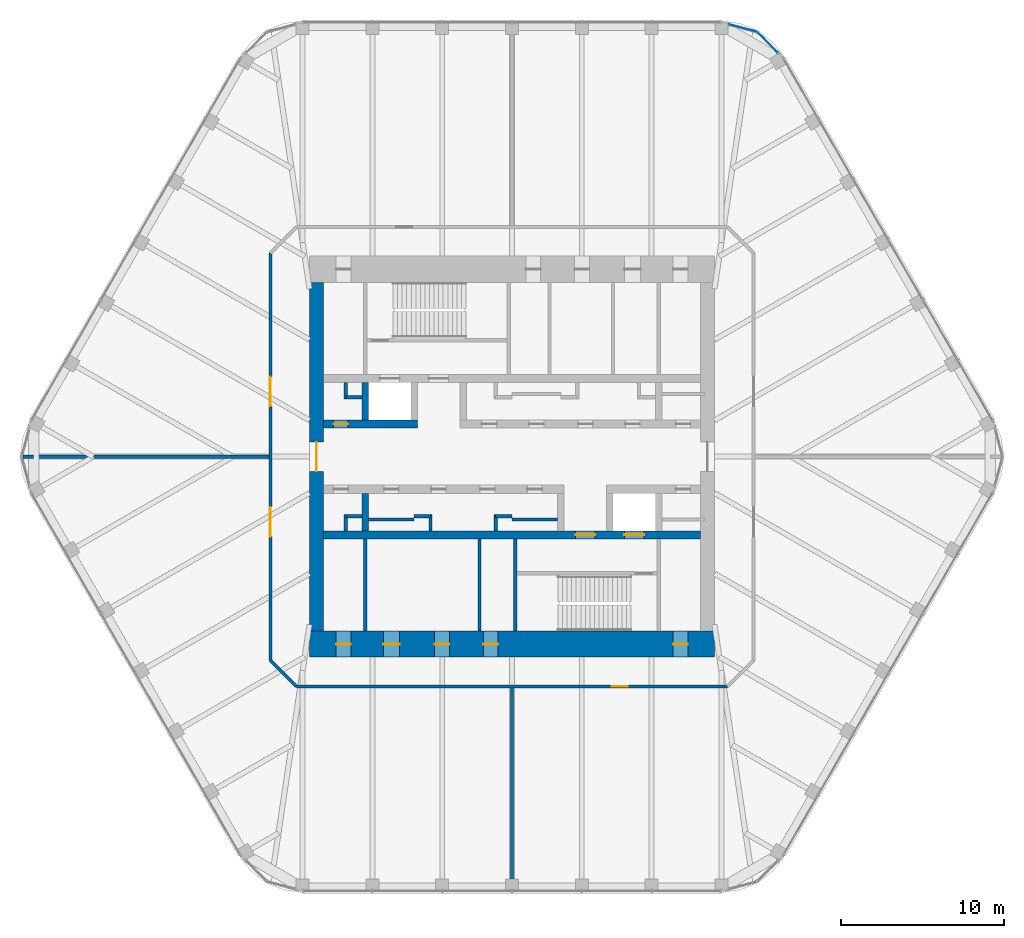
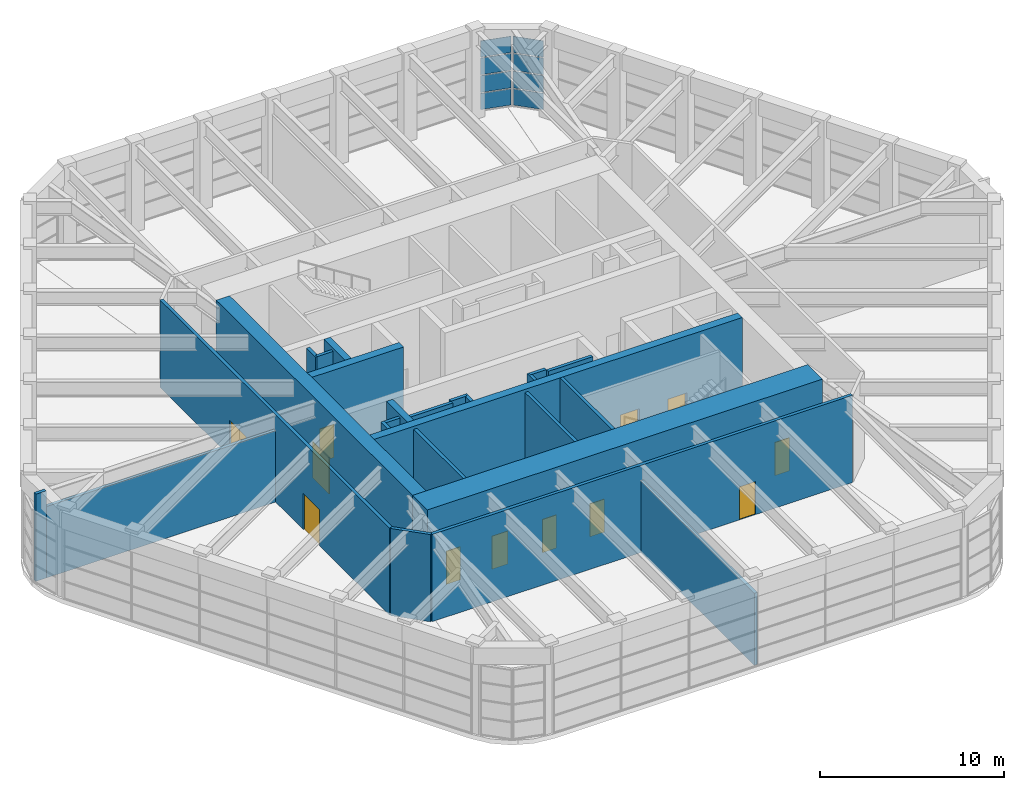
# One storey, part 13 of 16: 25 walls, 12 doors, 8 plates, 12 openings, 2 elements without a shape of their own.
"""IFC4 building model written with IfcOpenShell, lengths in metres."""

import ifcopenshell
import ifcopenshell.guid

model = None  # the IFC model being written
_history = None  # IfcOwnerHistory: only IFC2X3 demands one
_inside = {}  # id of a spatial element -> (the spatial element, [elements in it])
_under = {}  # id of a project, library or spatial element -> (it, [spatial elements below it])
_declared = {}  # id of a project -> (the project, [libraries it declares])
_typed = {}  # id of a type object -> (the type object, [elements of that type])
_made_of = {}  # id of a material, layer set ... -> (it, [elements and type objects made of it])


def new_model(schema):
    """Start an empty IFC model of exactly this schema.

    Asked for "IFC4X3", IfcOpenShell would pick the latest addendum, in which some entities
    have other attributes; the version numbers below select the first issue.
    IFC2X3 requires an IfcOwnerHistory on every rooted entity: one is made here for all.
    """
    global model, _history
    if schema == "IFC4X3":
        model = ifcopenshell.file(schema_version=(4, 3, 0, 0))
    else:
        model = ifcopenshell.file(schema=schema)
    _inside.clear()
    _under.clear()
    _declared.clear()
    _typed.clear()
    _made_of.clear()
    _history = None
    if model.schema == "IFC2X3":
        org = make("IfcOrganization", Name="unknown")
        user = make(
            "IfcPersonAndOrganization",
            ThePerson=make("IfcPerson", FamilyName="unknown"),
            TheOrganization=org,
        )
        app = make(
            "IfcApplication",
            ApplicationDeveloper=org,
            Version="unknown",
            ApplicationFullName="unknown",
            ApplicationIdentifier="unknown",
        )
        _history = make(
            "IfcOwnerHistory",
            OwningUser=user,
            OwningApplication=app,
            ChangeAction="ADDED",
            CreationDate=0,
        )
    return model


def make(cls, **values):
    """One entity of the class cls with the attributes given. An attribute that is None is left unset."""
    return model.create_entity(
        cls, **{name: value for name, value in values.items() if value is not None}
    )


def rooted(cls, **values):
    """An entity with a GlobalId (a new one), such as an element, a storey or a relation."""
    return make(cls, GlobalId=ifcopenshell.guid.new(), OwnerHistory=_history, **values)


def si_unit(unit_type, name, prefix=None):
    """IfcSIUnit, for example si_unit("LENGTHUNIT", "METRE", prefix="MILLI")."""
    return make("IfcSIUnit", UnitType=unit_type, Prefix=prefix, Name=name)


def assignment(units):
    """IfcUnitAssignment: the units of a project."""
    return None if units is None else make("IfcUnitAssignment", Units=units)


def point(xyz):
    """IfcCartesianPoint."""
    return None if xyz is None else make("IfcCartesianPoint", Coordinates=xyz)


def direction(xyz):
    """IfcDirection."""
    return None if xyz is None else make("IfcDirection", DirectionRatios=xyz)


def frame(location, z_axis=None, x_axis=None):
    """IfcAxis2Placement3D, a coordinate frame: its origin and axes. An axis left out is left unset."""
    return make(
        "IfcAxis2Placement3D",
        Location=point(location),
        Axis=direction(z_axis),
        RefDirection=direction(x_axis),
    )


def frame_2d(location, x_axis=None):
    """IfcAxis2Placement2D, a coordinate frame in the plane: its origin and x axis."""
    return make(
        "IfcAxis2Placement2D", Location=point(location), RefDirection=direction(x_axis)
    )


def origin():
    """The frame at (0, 0, 0) with its axes left unset."""
    return frame((0.0, 0.0, 0.0))


def origin_2d():
    """The frame at (0, 0) in the plane with its x axis left unset."""
    return frame_2d((0.0, 0.0))


def place(relative_to, where):
    """IfcLocalPlacement: puts the frame where relative to a parent placement (None: the world)."""
    return make(
        "IfcLocalPlacement", PlacementRelTo=relative_to, RelativePlacement=where
    )


def context(
    kind, dimensions, precision=None, world=None, true_north=None, identifier=None
):
    """IfcGeometricRepresentationContext, for example the 3D "Model" context."""
    return make(
        "IfcGeometricRepresentationContext",
        ContextIdentifier=identifier,
        ContextType=kind,
        CoordinateSpaceDimension=dimensions,
        Precision=precision,
        WorldCoordinateSystem=world,
        TrueNorth=true_north,
    )


def subcontext(parent, identifier, kind, view, scale=None):
    """IfcGeometricRepresentationSubContext, for example "Body" below "Model"."""
    return make(
        "IfcGeometricRepresentationSubContext",
        ContextIdentifier=identifier,
        ContextType=kind,
        ParentContext=parent,
        TargetScale=scale,
        TargetView=view,
    )


def project(units=None, contexts=None):
    """IfcProject with its units and contexts."""
    return rooted(
        "IfcProject",
        Name="project",
        RepresentationContexts=contexts,
        UnitsInContext=assignment(units),
    )


def spatial(cls, under=None, at=None, **own):
    """A site, building, storey or space (cls), placed at a placement, below another one or the project."""
    s = rooted(cls, ObjectPlacement=at, **own)
    if under is not None:
        _under.setdefault(under.id(), (under, []))[1].append(s)
    return s


def profile(cls, at=None, kind="AREA", **sizes):
    """A parametric profile (cls). Its sizes go by their IFC names, for example OverallWidth=200.0."""
    return make(cls, ProfileType=kind, Position=at, **sizes)


def rectangle(**sizes):
    """IfcRectangleProfileDef."""
    return profile("IfcRectangleProfileDef", **sizes)


def extrude(swept, where, along, depth):
    """IfcExtrudedAreaSolid: the profile swept, set in the frame where, extruded along a direction by depth."""
    return make(
        "IfcExtrudedAreaSolid",
        SweptArea=swept,
        Position=where,
        ExtrudedDirection=direction(along),
        Depth=depth,
    )


def shape(context_of_items, identifier, shape_type, items):
    """IfcShapeRepresentation: the items that make up one representation, for example the "Body"."""
    return make(
        "IfcShapeRepresentation",
        ContextOfItems=context_of_items,
        RepresentationIdentifier=identifier,
        RepresentationType=shape_type,
        Items=items,
    )


def material(Name=None, Category=None):
    """IfcMaterial."""
    return make("IfcMaterial", Name=Name, Category=Category)


def layer(
    of_material, thickness, ventilated=None, Name=None, Category=None, Priority=None
):
    """IfcMaterialLayer: one layer of a wall or slab, of a material (None: an air gap)."""
    return make(
        "IfcMaterialLayer",
        Material=of_material,
        LayerThickness=thickness,
        IsVentilated=ventilated,
        Name=Name,
        Category=Category,
        Priority=Priority,
    )


def layer_set(layers, Name=None):
    """IfcMaterialLayerSet."""
    return make("IfcMaterialLayerSet", MaterialLayers=layers, LayerSetName=Name)


def made_of(thing, what):
    """Note that an element or type object is made of a material, layer set ...; save() writes the relation."""
    if what is not None:
        _made_of.setdefault(what.id(), (what, []))[1].append(thing)
    return thing


def type_object(cls, material=None, **own):
    """A type object (cls), such as IfcWallType, which elements share."""
    return made_of(rooted(cls, **own), material)


def element(
    cls,
    number,
    at=None,
    inside=None,
    cuts=None,
    type_object=None,
    material=None,
    context=None,
    identifier="Body",
    shape_type=None,
    held_by="IfcProductDefinitionShape",
    body=None,
    shapes=None,
    **own,
):
    """One element of the class cls, such as IfcWall. Its Tag is "e" and its number.

    at: its placement. inside: the storey or other place that contains it. cuts: it is an
    opening in that element (IfcRelVoidsElement). A single representation is given by context,
    identifier, shape_type and body (its items); several are given by shapes. held_by: the class
    of the entity that holds the representations. save() writes the other relations.
    """
    e = rooted(cls, Tag="e%d" % number, ObjectPlacement=at, **own)
    if body is not None:
        shapes = [shape(context, identifier, shape_type, body)]
    if shapes is not None:
        e.Representation = make(held_by, Representations=shapes)
    if inside is not None:
        _inside.setdefault(inside.id(), (inside, []))[1].append(e)
    if cuts is not None:
        rooted(
            "IfcRelVoidsElement", RelatingBuildingElement=cuts, RelatedOpeningElement=e
        )
    if type_object is not None:
        _typed.setdefault(type_object.id(), (type_object, []))[1].append(e)
    return made_of(e, material)


def fill(opening, filler):
    """IfcRelFillsElement: the door or window that sits in an opening."""
    return rooted(
        "IfcRelFillsElement",
        RelatingOpeningElement=opening,
        RelatedBuildingElement=filler,
    )


def aggregate(whole, parts):
    """IfcRelAggregates: a whole, such as a stair, and the parts it consists of."""
    return rooted("IfcRelAggregates", RelatingObject=whole, RelatedObjects=parts)


def save(model, path):
    """Write the relations noted so far, then the file.

    IfcRelAggregates (storeys below a building ...), IfcRelContainedInSpatialStructure (elements
    in a storey), IfcRelDefinesByType, IfcRelAssociatesMaterial and IfcRelDeclares: one each for
    every whole, place, type object, material and project.
    """
    for whole, parts in _under.values():
        aggregate(whole, parts)
    for where, things in _inside.values():
        rooted(
            "IfcRelContainedInSpatialStructure",
            RelatedElements=things,
            RelatingStructure=where,
        )
    for kind, things in _typed.values():
        rooted("IfcRelDefinesByType", RelatedObjects=things, RelatingType=kind)
    for what, things in _made_of.values():
        rooted("IfcRelAssociatesMaterial", RelatedObjects=things, RelatingMaterial=what)
    for by, libraries in _declared.values():
        rooted("IfcRelDeclares", RelatingContext=by, RelatedDefinitions=libraries)
    model.write(path)


model = new_model("IFC4")

# Units and contexts
model_context = context("Model", 3, precision=1e-05, world=origin(), true_north=direction((0.0, 1.0)))
body_context = subcontext(model_context, "Body", "Model", "MODEL_VIEW")
ifc_project = project(units=[si_unit("LENGTHUNIT", "METRE"), si_unit("AREAUNIT", "SQUARE_METRE"), si_unit("VOLUMEUNIT", "CUBIC_METRE"), si_unit("PLANEANGLEUNIT", "RADIAN"), si_unit("MASSUNIT", "GRAM", prefix="KILO")], contexts=[model_context])

# Site, building, storey
site_placement = place(None, origin())
site = spatial("IfcSite", under=ifc_project, at=site_placement, CompositionType="ELEMENT")
building_placement = place(site_placement, origin())
building = spatial("IfcBuilding", under=site, at=building_placement, Name="Tarfa Lantern Tower", CompositionType="ELEMENT")
storey_placement = place(building_placement, frame((0.0, 0.0, 396.300048828125)))
storey = spatial("IfcBuildingStorey", under=building, at=storey_placement, Name="L90", CompositionType="ELEMENT", Elevation=396.300048828125)

# Curtain wall, plates
ifc_material_1 = material(Name="Aluminium framed curtain wall", Category="aluminium")
curtain_wall_type = type_object("IfcCurtainWallType", Name="CW8 LANTERN GLAZING 4700", PredefinedType="USERDEFINED", material=ifc_material_1)
curtain_wall_1_placement = place(storey_placement, origin())
curtain_wall_1 = element("IfcCurtainWall", 1, at=curtain_wall_1_placement, inside=storey, type_object=curtain_wall_type, Name="CW8 NEN1 L90", ObjectType="CURTAIN WALL", PredefinedType="USERDEFINED")
ifc_material_2 = material(Name="Laminated double glazing", Category="glass")
ifc_layer_1 = layer(ifc_material_2, 0.028076171875)
ifc_layer_set_1 = layer_set([ifc_layer_1], Name="CWP1 DOUBLE GLAZED PANEL")
plate_type = type_object("IfcPlateType", Name="CWP1 DOUBLE GLAZED PANEL", PredefinedType="CURTAIN_PANEL", material=ifc_layer_set_1)
plate_1_placement = place(storey_placement, frame((15.6953125, 25.4111328125, 0.06494140625), z_axis=(0.0, 0.0, 1.0), x_axis=(-0.707106781187, 0.707106781187, 0.0)))
plate_1 = element("IfcPlate", 2, at=plate_1_placement, type_object=plate_type, Name="CW8 panel 1.1", PredefinedType="CURTAIN_PANEL", context=body_context, shape_type="SweptSolid", body=[
    extrude(rectangle(XDim=1.706787109375, YDim=0.028076171875, at=origin_2d()), origin(), (0.0, 0.0, 1.0), 1.077392578125),
])
plate_2_placement = place(storey_placement, frame((15.6953125, 25.4111328125, 1.20751953125), z_axis=(0.0, 0.0, 1.0), x_axis=(-0.707106781187, 0.707106781187, 0.0)))
plate_2 = element("IfcPlate", 3, at=plate_2_placement, type_object=plate_type, Name="CW8 panel 1.2", PredefinedType="CURTAIN_PANEL", context=body_context, shape_type="SweptSolid", body=[
    extrude(rectangle(XDim=1.706787109375, YDim=0.028076171875, at=origin_2d()), origin(), (0.0, 0.0, 1.0), 1.110107421875),
])
plate_3_placement = place(storey_placement, frame((15.6953125, 25.4111328125, 2.38232421875), z_axis=(0.0, 0.0, 1.0), x_axis=(-0.707106781187, 0.707106781187, 0.0)))
plate_3 = element("IfcPlate", 4, at=plate_3_placement, type_object=plate_type, Name="CW8 panel 1.3", PredefinedType="CURTAIN_PANEL", context=body_context, shape_type="SweptSolid", body=[
    extrude(rectangle(XDim=1.706787109375, YDim=0.028076171875, at=origin_2d()), origin(), (0.0, 0.0, 1.0), 1.110107421875),
])
plate_4_placement = place(storey_placement, frame((15.6953125, 25.4111328125, 3.5576171875), z_axis=(0.0, 0.0, 1.0), x_axis=(-0.707106781187, 0.707106781187, 0.0)))
plate_4 = element("IfcPlate", 5, at=plate_4_placement, type_object=plate_type, Name="CW8 panel 1.4", PredefinedType="CURTAIN_PANEL", context=body_context, shape_type="SweptSolid", body=[
    extrude(rectangle(XDim=1.706787109375, YDim=0.028076171875, at=origin_2d()), origin(), (0.0, 0.0, 1.0), 1.077392578125),
])
aggregate(curtain_wall_1, [plate_1, plate_2, plate_3, plate_4])

curtain_wall_2_placement = place(storey_placement, origin())
curtain_wall_2 = element("IfcCurtainWall", 6, at=curtain_wall_2_placement, inside=storey, type_object=curtain_wall_type, Name="CW8 NEN2 L90", ObjectType="CURTAIN WALL", PredefinedType="USERDEFINED")
plate_5_placement = place(storey_placement, frame((14.158935546875, 26.298095703125, 0.06494140625), z_axis=(0.0, 0.0, 1.0), x_axis=(-0.965925850804, 0.258818953611, 0.0)))
plate_5 = element("IfcPlate", 7, at=plate_5_placement, type_object=plate_type, Name="CW8 panel 1.1", PredefinedType="CURTAIN_PANEL", context=body_context, shape_type="SweptSolid", body=[
    extrude(rectangle(XDim=1.706787109375, YDim=0.028076171875, at=origin_2d()), origin(), (0.0, 0.0, 1.0), 1.077392578125),
])
plate_6_placement = place(storey_placement, frame((14.158935546875, 26.298095703125, 1.20751953125), z_axis=(0.0, 0.0, 1.0), x_axis=(-0.965925850804, 0.258818953611, 0.0)))
plate_6 = element("IfcPlate", 8, at=plate_6_placement, type_object=plate_type, Name="CW8 panel 1.2", PredefinedType="CURTAIN_PANEL", context=body_context, shape_type="SweptSolid", body=[
    extrude(rectangle(XDim=1.706787109375, YDim=0.028076171875, at=origin_2d()), origin(), (0.0, 0.0, 1.0), 1.110107421875),
])
plate_7_placement = place(storey_placement, frame((14.158935546875, 26.298095703125, 2.38232421875), z_axis=(0.0, 0.0, 1.0), x_axis=(-0.965925850804, 0.258818953611, 0.0)))
plate_7 = element("IfcPlate", 9, at=plate_7_placement, type_object=plate_type, Name="CW8 panel 1.3", PredefinedType="CURTAIN_PANEL", context=body_context, shape_type="SweptSolid", body=[
    extrude(rectangle(XDim=1.706787109375, YDim=0.028076171875, at=origin_2d()), origin(), (0.0, 0.0, 1.0), 1.110107421875),
])
plate_8_placement = place(storey_placement, frame((14.158935546875, 26.298095703125, 3.5576171875), z_axis=(0.0, 0.0, 1.0), x_axis=(-0.965925850804, 0.258818953611, 0.0)))
plate_8 = element("IfcPlate", 10, at=plate_8_placement, type_object=plate_type, Name="CW8 panel 1.4", PredefinedType="CURTAIN_PANEL", context=body_context, shape_type="SweptSolid", body=[
    extrude(rectangle(XDim=1.706787109375, YDim=0.028076171875, at=origin_2d()), origin(), (0.0, 0.0, 1.0), 1.077392578125),
])
aggregate(curtain_wall_2, [plate_5, plate_6, plate_7, plate_8])

# Walls
ifc_material_3 = material(Name="Concrete blockwork", Category="masonry")
ifc_layer_2 = layer(ifc_material_3, 0.199951171875)
ifc_layer_set_2 = layer_set([ifc_layer_2], Name="IW1 BLOCKWORK PARTITION 200 EI 120")
wall_type_1 = type_object("IfcWallType", Name="IW1 BLOCKWORK PARTITION 200 EI 120", PredefinedType="PARTITIONING", material=ifc_layer_set_2)
for number, where, z_axis, x_axis, name in (
    (11, (-9.0, -5.050048828125, 0.0), (0.0, 0.0, 1.0), (0.0, -1.0, 0.0), "Core partition"),
    (12, (-2.0, -5.050048828125, 0.0), (0.0, 0.0, 1.0), (0.0, -1.0, 0.0), "Core partition"),
):
    element("IfcWall", number, at=place(storey_placement, frame(where, z_axis=z_axis, x_axis=x_axis)), inside=storey, type_object=wall_type_1, Name=name, PredefinedType="PARTITIONING", context=body_context, shape_type="SweptSolid", body=[
        extrude(rectangle(XDim=5.64990234375, YDim=0.199951171875, at=frame_2d((2.824951171875, 0.0))), origin(), (0.0, 0.0, 1.0), 5.800048828125),
    ])
for number, where, z_axis, x_axis, name in (
    (13, (-10.199951171875, 3.64990234375, 0.0), (0.0, 0.0, 1.0), (1.0, 0.0, 0.0), "Core partition"),
    (14, (-10.199951171875, 3.550048828125, 0.0), (0.0, 0.0, 1.0), (0.0, 1.0, 0.0), "Core partition"),
):
    element("IfcWall", number, at=place(storey_placement, frame(where, z_axis=z_axis, x_axis=x_axis)), inside=storey, type_object=wall_type_1, Name=name, PredefinedType="PARTITIONING", context=body_context, shape_type="SweptSolid", body=[
        extrude(rectangle(XDim=1.0, YDim=0.199951171875, at=frame_2d((0.5, 0.0))), origin(), (0.0, 0.0, 1.0), 5.800048828125),
    ])
wall_1_placement = place(storey_placement, frame((2.800048828125, -3.85009765625, 0.0), z_axis=(0.0, 0.0, 1.0), x_axis=(-1.0, 0.0, 0.0)))
element("IfcWall", 15, at=wall_1_placement, inside=storey, type_object=wall_type_1, Name="Core partition", PredefinedType="PARTITIONING", context=body_context, shape_type="SweptSolid", body=[
    extrude(rectangle(XDim=2.800048828125, YDim=0.199951171875, at=frame_2d((1.39990234375, 0.0))), origin(), (0.0, 0.0, 1.0), 5.800048828125),
])
for number, where, z_axis, x_axis, name in (
    (16, (0.0, -3.64990234375, 0.0), (0.0, 0.0, 1.0), (-1.0, 0.0, 0.0), "Core partition"),
    (17, (-1.0, -3.550048828125, 0.0), (0.0, 0.0, 1.0), (0.0, -1.0, 0.0), "Core partition"),
    (18, (-5.0, -3.64990234375, 0.0), (0.0, 0.0, 1.0), (-1.0, 0.0, 0.0), "Core partition"),
    (19, (-5.0, -3.550048828125, 0.0), (0.0, 0.0, 1.0), (0.0, -1.0, 0.0), "Core partition"),
):
    element("IfcWall", number, at=place(storey_placement, frame(where, z_axis=z_axis, x_axis=x_axis)), inside=storey, type_object=wall_type_1, Name=name, PredefinedType="PARTITIONING", context=body_context, shape_type="SweptSolid", body=[
        extrude(rectangle(XDim=1.0, YDim=0.199951171875, at=frame_2d((0.5, 0.0))), origin(), (0.0, 0.0, 1.0), 5.800048828125),
    ])
wall_2_placement = place(storey_placement, frame((-6.0, -3.85009765625, 0.0), z_axis=(0.0, 0.0, 1.0), x_axis=(-1.0, 0.0, 0.0)))
element("IfcWall", 20, at=wall_2_placement, inside=storey, type_object=wall_type_1, Name="Core partition", PredefinedType="PARTITIONING", context=body_context, shape_type="SweptSolid", body=[
    extrude(rectangle(XDim=2.800048828125, YDim=0.199951171875, at=frame_2d((1.39990234375, 0.0))), origin(), (0.0, 0.0, 1.0), 5.800048828125),
])
for number, where, z_axis, x_axis, name in (
    (21, (-9.199951171875, -3.64990234375, 0.0), (0.0, 0.0, 1.0), (-1.0, 0.0, 0.0), "Core partition"),
    (22, (-10.199951171875, -3.550048828125, 0.0), (0.0, 0.0, 1.0), (0.0, -1.0, 0.0), "Core partition"),
):
    element("IfcWall", number, at=place(storey_placement, frame(where, z_axis=z_axis, x_axis=x_axis)), inside=storey, type_object=wall_type_1, Name=name, PredefinedType="PARTITIONING", context=body_context, shape_type="SweptSolid", body=[
        extrude(rectangle(XDim=1.0, YDim=0.199951171875, at=frame_2d((0.5, 0.0))), origin(), (0.0, 0.0, 1.0), 5.800048828125),
    ])

# Wall, opening, door
wall_3_placement = place(storey_placement, frame((13.22509765625, -14.10009765625, 0.0), z_axis=(0.0, 0.0, 1.0), x_axis=(-1.0, 0.0, 0.0)))
wall_3 = element("IfcWall", 23, at=wall_3_placement, inside=storey, type_object=wall_type_1, Name="Fire-rated partition", PredefinedType="PARTITIONING", context=body_context, shape_type="SweptSolid", body=[
    extrude(rectangle(XDim=26.4501953125, YDim=0.199951171875, at=frame_2d((13.22509765625, 0.0))), origin(), (0.0, 0.0, 1.0), 5.800048828125),
])
opening_1_placement = place(wall_3_placement, frame((6.112548828125, 0.0, 0.0)))
opening_1 = element("IfcOpeningElement", 24, at=opening_1_placement, cuts=wall_3, Name="Opening D34", PredefinedType="OPENING", context=body_context, shape_type="SweptSolid", body=[
    extrude(rectangle(XDim=1.0, YDim=2.199951171875, at=frame_2d((0.5, 1.10009765625))), frame((0.0, 0.10986328125, 0.0), z_axis=(0.0, -1.0, 0.0), x_axis=(1.0, 0.0, 0.0)), (0.0, 0.0, 1.0), 0.219970703125),
])
ifc_material_4 = material(Name="Timber door", Category="wood")
door_type_1 = type_object("IfcDoorType", Name="DR1 ROOM DOOR 1000x2200", OperationType="SINGLE_SWING_LEFT", PredefinedType="DOOR", material=ifc_material_4)
door_1_placement = place(opening_1_placement, origin())
door_1 = element("IfcDoor", 25, at=door_1_placement, inside=storey, type_object=door_type_1, Name="Corridor door", OperationType="SINGLE_SWING_RIGHT", OverallHeight=2.199951171875, OverallWidth=1.0, PredefinedType="DOOR", context=body_context, shape_type="SweptSolid", body=[
    extrude(rectangle(XDim=1.0, YDim=2.199951171875, at=frame_2d((0.5, 1.10009765625))), frame((0.0, 0.02490234375, 0.0), z_axis=(0.0, -1.0, 0.0), x_axis=(1.0, 0.0, 0.0)), (0.0, 0.0, 1.0), 0.050048828125),
])
fill(opening_1, door_1)

# Wall
wall_4_placement = place(storey_placement, frame((-13.22509765625, -14.10009765625, 0.0), z_axis=(0.0, 0.0, 1.0), x_axis=(-0.707052830339, 0.707160727918, 0.0)))
element("IfcWall", 26, at=wall_4_placement, inside=storey, type_object=wall_type_1, Name="Fire-rated partition", PredefinedType="PARTITIONING", context=body_context, shape_type="SweptSolid", body=[
    extrude(rectangle(XDim=2.2626953125, YDim=0.199951171875, at=frame_2d((1.13134765625, 0.0))), origin(), (0.0, 0.0, 1.0), 5.800048828125),
])

# Wall, openings, doors
wall_5_placement = place(storey_placement, frame((-14.824951171875, -12.5, 0.0), z_axis=(0.0, 0.0, 1.0), x_axis=(0.0, 1.0, 0.0)))
wall_5 = element("IfcWall", 27, at=wall_5_placement, inside=storey, type_object=wall_type_1, Name="Fire-rated partition", PredefinedType="PARTITIONING", context=body_context, shape_type="SweptSolid", body=[
    extrude(rectangle(XDim=25.0, YDim=0.199951171875, at=frame_2d((12.5, 0.0))), origin(), (0.0, 0.0, 1.0), 5.800048828125),
])
opening_2_placement = place(wall_5_placement, frame((15.60009765625, 0.0, 0.0)))
opening_2 = element("IfcOpeningElement", 28, at=opening_2_placement, cuts=wall_5, Name="Opening D30", PredefinedType="OPENING", context=body_context, shape_type="SweptSolid", body=[
    extrude(rectangle(XDim=1.800048828125, YDim=2.39990234375, at=frame_2d((0.89990234375, 1.199951171875))), frame((0.0, 0.10986328125, 0.0), z_axis=(0.0, -1.0, 0.0), x_axis=(1.0, 0.0, 0.0)), (0.0, 0.0, 1.0), 0.219970703125),
])
opening_3_placement = place(wall_5_placement, frame((7.60009765625, 0.0, 0.0)))
opening_3 = element("IfcOpeningElement", 29, at=opening_3_placement, cuts=wall_5, Name="Opening D32", PredefinedType="OPENING", context=body_context, shape_type="SweptSolid", body=[
    extrude(rectangle(XDim=1.800048828125, YDim=2.39990234375, at=frame_2d((0.89990234375, 1.199951171875))), frame((0.0, 0.10986328125, 0.0), z_axis=(0.0, -1.0, 0.0), x_axis=(1.0, 0.0, 0.0)), (0.0, 0.0, 1.0), 0.219970703125),
])
ifc_material_5 = material(Name="Steel fire door", Category="steel")
door_type_2 = type_object("IfcDoorType", Name="DF7 FIRE DOOR 1800x2400", OperationType="DOUBLE_DOOR_SINGLE_SWING", PredefinedType="DOOR", material=ifc_material_5)
door_2_placement = place(opening_2_placement, origin())
door_2 = element("IfcDoor", 30, at=door_2_placement, inside=storey, type_object=door_type_2, Name="Heat rejection plant room door", OperationType="DOUBLE_DOOR_SINGLE_SWING", OverallHeight=2.39990234375, OverallWidth=1.800048828125, PredefinedType="DOOR", context=body_context, shape_type="SweptSolid", body=[
    extrude(rectangle(XDim=1.800048828125, YDim=2.39990234375, at=frame_2d((0.89990234375, 1.199951171875))), frame((0.0, 0.02490234375, 0.0), z_axis=(0.0, -1.0, 0.0), x_axis=(1.0, 0.0, 0.0)), (0.0, 0.0, 1.0), 0.050048828125),
])
fill(opening_2, door_2)
door_3_placement = place(opening_3_placement, origin())
door_3 = element("IfcDoor", 31, at=door_3_placement, inside=storey, type_object=door_type_2, Name="Electrical plant room door", OperationType="DOUBLE_DOOR_SINGLE_SWING", OverallHeight=2.39990234375, OverallWidth=1.800048828125, PredefinedType="DOOR", context=body_context, shape_type="SweptSolid", body=[
    extrude(rectangle(XDim=1.800048828125, YDim=2.39990234375, at=frame_2d((0.89990234375, 1.199951171875))), frame((0.0, 0.02490234375, 0.0), z_axis=(0.0, -1.0, 0.0), x_axis=(1.0, 0.0, 0.0)), (0.0, 0.0, 1.0), 0.050048828125),
])
fill(opening_3, door_3)

# Walls
wall_6_placement = place(storey_placement, frame((0.0, -14.199951171875, 0.0), z_axis=(0.0, 0.0, 1.0), x_axis=(0.0, -1.0, 0.0)))
element("IfcWall", 32, at=wall_6_placement, inside=storey, type_object=wall_type_1, Name="Fire-rated partition", PredefinedType="PARTITIONING", context=body_context, shape_type="SweptSolid", body=[
    extrude(rectangle(XDim=12.360107421875, YDim=0.199951171875, at=frame_2d((6.18017578125, 0.0))), origin(), (0.0, 0.0, 1.0), 4.791748046875),
])
wall_7_placement = place(storey_placement, frame((-14.925048828125, 0.0, 0.0), z_axis=(0.0, 0.0, 1.0), x_axis=(-1.0, 0.0, 0.0)))
element("IfcWall", 33, at=wall_7_placement, inside=storey, type_object=wall_type_1, Name="Fire-rated partition", PredefinedType="PARTITIONING", context=body_context, shape_type="SweptSolid", body=[
    extrude(rectangle(XDim=14.421630859375, YDim=0.199951171875, at=frame_2d((7.2109375, 0.0))), origin(), (0.0, 0.0, 1.0), 4.743896484375),
])
wall_8_placement = place(storey_placement, frame((-29.3466796875, 0.0, 0.0), z_axis=(0.0, 0.0, 1.0), x_axis=(-1.0, 0.0, 0.0)))
element("IfcWall", 34, at=wall_8_placement, inside=storey, type_object=wall_type_1, Name="Fire-rated partition", PredefinedType="PARTITIONING", context=body_context, shape_type="SweptSolid", body=[
    extrude(rectangle(XDim=0.65673828125, YDim=0.199951171875, at=frame_2d((0.328369140625, 0.0))), origin(), (0.0, 0.0, 1.0), 5.800048828125),
])
ifc_material_6 = material(Name="Concrete C80/95", Category="concrete")
ifc_layer_3 = layer(ifc_material_6, 0.199951171875)
ifc_layer_set_3 = layer_set([ifc_layer_3], Name="SW12 CORE WALL 200")
wall_type_2 = type_object("IfcWallType", Name="SW12 CORE WALL 200", PredefinedType="SHEAR", material=ifc_layer_set_3)
wall_9_placement = place(storey_placement, frame((0.199951171875, -5.050048828125, 0.0), z_axis=(0.0, 0.0, 1.0), x_axis=(0.0, -1.0, 0.0)))
element("IfcWall", 35, at=wall_9_placement, inside=storey, type_object=wall_type_2, Name="Core wall stair shaft S", PredefinedType="SHEAR", context=body_context, shape_type="SweptSolid", body=[
    extrude(rectangle(XDim=5.64990234375, YDim=0.199951171875, at=frame_2d((2.824951171875, 0.0))), origin(), (0.0, 0.0, 1.0), 6.0),
])

# Wall, opening, door
ifc_layer_4 = layer(ifc_material_6, 0.85009765625)
ifc_layer_set_4 = layer_set([ifc_layer_4], Name="SW3 CORE WALL 850")
wall_type_3 = type_object("IfcWallType", Name="SW3 CORE WALL 850", PredefinedType="SHEAR", material=ifc_layer_set_4)
wall_10_placement = place(storey_placement, frame((-12.0, 10.699951171875, 0.0), z_axis=(0.0, 0.0, 1.0), x_axis=(0.0, -1.0, 0.0)))
wall_10 = element("IfcWall", 36, at=wall_10_placement, inside=storey, type_object=wall_type_3, Name="Core wall W", PredefinedType="SHEAR", context=body_context, shape_type="SweptSolid", body=[
    extrude(rectangle(XDim=21.39990234375, YDim=0.85009765625, at=frame_2d((10.699951171875, 0.0))), origin(), (0.0, 0.0, 1.0), 6.0),
])
opening_4_placement = place(wall_10_placement, frame((9.800048828125, 0.0, 0.0)))
opening_4 = element("IfcOpeningElement", 37, at=opening_4_placement, cuts=wall_10, Name="Opening D08", PredefinedType="OPENING", context=body_context, shape_type="SweptSolid", body=[
    extrude(rectangle(XDim=1.800048828125, YDim=2.39990234375, at=frame_2d((0.89990234375, 1.199951171875))), frame((0.0, 0.43505859375, 0.0), z_axis=(0.0, -1.0, 0.0), x_axis=(1.0, 0.0, 0.0)), (0.0, 0.0, 1.0), 0.8701171875),
])
door_type_3 = type_object("IfcDoorType", Name="DL1 LOBBY DOOR 1800x2400", OperationType="DOUBLE_DOOR_SINGLE_SWING", PredefinedType="DOOR", material=ifc_material_5)
door_4_placement = place(opening_4_placement, frame((1.800048828125, 0.0, 0.0), z_axis=(0.0, 0.0, 1.0), x_axis=(-1.0, 0.0, 0.0)))
door_4 = element("IfcDoor", 38, at=door_4_placement, inside=storey, type_object=door_type_3, Name="Lift lobby door", OperationType="DOUBLE_DOOR_SINGLE_SWING", OverallHeight=2.39990234375, OverallWidth=1.800048828125, PredefinedType="DOOR", context=body_context, shape_type="SweptSolid", body=[
    extrude(rectangle(XDim=1.800048828125, YDim=2.39990234375, at=frame_2d((0.89990234375, 1.199951171875))), frame((0.0, 0.02490234375, 0.0), z_axis=(0.0, -1.0, 0.0), x_axis=(1.0, 0.0, 0.0)), (0.0, 0.0, 1.0), 0.050048828125),
])
fill(opening_4, door_4)

ifc_layer_5 = layer(ifc_material_6, 0.5)
ifc_layer_set_5 = layer_set([ifc_layer_5], Name="SW5 CORE WALL 500")
wall_type_4 = type_object("IfcWallType", Name="SW5 CORE WALL 500", PredefinedType="SHEAR", material=ifc_layer_set_5)
wall_11_placement = place(storey_placement, frame((-11.574951171875, 2.0, 0.0), z_axis=(0.0, 0.0, 1.0), x_axis=(1.0, 0.0, 0.0)))
wall_11 = element("IfcWall", 39, at=wall_11_placement, inside=storey, type_object=wall_type_4, Name="Core wall lobby west N", PredefinedType="SHEAR", context=body_context, shape_type="SweptSolid", body=[
    extrude(rectangle(XDim=5.77490234375, YDim=0.5, at=frame_2d((2.887451171875, 0.0))), origin(), (0.0, 0.0, 1.0), 6.0),
])
opening_5_placement = place(wall_11_placement, frame((0.625, 0.0, 0.0)))
opening_5 = element("IfcOpeningElement", 40, at=opening_5_placement, cuts=wall_11, Name="Opening D11", PredefinedType="OPENING", context=body_context, shape_type="SweptSolid", body=[
    extrude(rectangle(XDim=0.89990234375, YDim=2.199951171875, at=frame_2d((0.449951171875, 1.10009765625))), frame((0.0, 0.260009765625, 0.0), z_axis=(0.0, -1.0, 0.0), x_axis=(1.0, 0.0, 0.0)), (0.0, 0.0, 1.0), 0.52001953125),
])
door_type_4 = type_object("IfcDoorType", Name="DF6 SERVICE ROOM DOOR 900x2200", OperationType="SINGLE_SWING_LEFT", PredefinedType="DOOR", material=ifc_material_5)
door_5_placement = place(opening_5_placement, origin())
door_5 = element("IfcDoor", 41, at=door_5_placement, inside=storey, type_object=door_type_4, Name="Service room door", OperationType="SINGLE_SWING_RIGHT", OverallHeight=2.199951171875, OverallWidth=0.89990234375, PredefinedType="DOOR", context=body_context, shape_type="SweptSolid", body=[
    extrude(rectangle(XDim=0.89990234375, YDim=2.199951171875, at=frame_2d((0.449951171875, 1.10009765625))), frame((0.0, 0.02490234375, 0.0), z_axis=(0.0, -1.0, 0.0), x_axis=(1.0, 0.0, 0.0)), (0.0, 0.0, 1.0), 0.050048828125),
])
fill(opening_5, door_5)

# Wall, openings, doors
wall_12_placement = place(storey_placement, frame((11.574951171875, -4.800048828125, 0.0), z_axis=(0.0, 0.0, 1.0), x_axis=(-1.0, 0.0, 0.0)))
wall_12 = element("IfcWall", 42, at=wall_12_placement, inside=storey, type_object=wall_type_4, Name="Core wall rear S", PredefinedType="SHEAR", context=body_context, shape_type="SweptSolid", body=[
    extrude(rectangle(XDim=23.14990234375, YDim=0.5, at=frame_2d((11.574951171875, 0.0))), origin(), (0.0, 0.0, 1.0), 6.0),
])
opening_6_placement = place(wall_12_placement, frame((6.47509765625, 0.0, 0.0)))
opening_6 = element("IfcOpeningElement", 43, at=opening_6_placement, cuts=wall_12, Name="Opening D06", PredefinedType="OPENING", context=body_context, shape_type="SweptSolid", body=[
    extrude(rectangle(XDim=1.199951171875, YDim=2.199951171875, at=frame_2d((0.60009765625, 1.10009765625))), frame((0.0, 0.260009765625, 0.0), z_axis=(0.0, -1.0, 0.0), x_axis=(1.0, 0.0, 0.0)), (0.0, 0.0, 1.0), 0.52001953125),
])
opening_7_placement = place(wall_12_placement, frame((3.47509765625, 0.0, 0.0)))
opening_7 = element("IfcOpeningElement", 44, at=opening_7_placement, cuts=wall_12, Name="Opening LD02", PredefinedType="OPENING", context=body_context, shape_type="SweptSolid", body=[
    extrude(rectangle(XDim=1.199951171875, YDim=2.199951171875, at=frame_2d((0.60009765625, 1.10009765625))), frame((0.0, 0.260009765625, 0.0), z_axis=(0.0, -1.0, 0.0), x_axis=(1.0, 0.0, 0.0)), (0.0, 0.0, 1.0), 0.52001953125),
])
door_type_5 = type_object("IfcDoorType", Name="DF1 FIREFIGHTING LOBBY DOOR 1200x2200", OperationType="SINGLE_SWING_LEFT", PredefinedType="DOOR", material=ifc_material_5)
door_6_placement = place(opening_6_placement, origin())
door_6 = element("IfcDoor", 45, at=door_6_placement, inside=storey, type_object=door_type_5, Name="Firefighting lobby door", OperationType="SINGLE_SWING_LEFT", OverallHeight=2.199951171875, OverallWidth=1.199951171875, PredefinedType="DOOR", context=body_context, shape_type="SweptSolid", body=[
    extrude(rectangle(XDim=1.199951171875, YDim=2.199951171875, at=frame_2d((0.60009765625, 1.10009765625))), frame((0.0, 0.02490234375, 0.0), z_axis=(0.0, -1.0, 0.0), x_axis=(1.0, 0.0, 0.0)), (0.0, 0.0, 1.0), 0.050048828125),
])
fill(opening_6, door_6)
ifc_material_7 = material(Name="Stainless steel lift door", Category="steel")
door_type_6 = type_object("IfcDoorType", Name="LD1 LIFT LANDING DOOR 1200x2200", OperationType="SLIDING_TO_LEFT", PredefinedType="DOOR", material=ifc_material_7)
door_7_placement = place(opening_7_placement, origin())
door_7 = element("IfcDoor", 46, at=door_7_placement, inside=storey, type_object=door_type_6, Name="Landing door FL2", OperationType="SLIDING_TO_LEFT", OverallHeight=2.199951171875, OverallWidth=1.199951171875, PredefinedType="DOOR", context=body_context, shape_type="SweptSolid", body=[
    extrude(rectangle(XDim=1.199951171875, YDim=2.199951171875, at=frame_2d((0.60009765625, 1.10009765625))), frame((0.0, 0.02490234375, 0.0), z_axis=(0.0, -1.0, 0.0), x_axis=(1.0, 0.0, 0.0)), (0.0, 0.0, 1.0), 0.050048828125),
])
fill(opening_7, door_7)

# Walls
ifc_layer_6 = layer(ifc_material_6, 0.39990234375)
ifc_layer_set_6 = layer_set([ifc_layer_6], Name="SW6 CORE WALL 400")
wall_type_5 = type_object("IfcWallType", Name="SW6 CORE WALL 400", PredefinedType="SHEAR", material=ifc_layer_set_6)
for number, where, z_axis, x_axis, name in (
    (47, (-9.0, 2.25, 0.0), (0.0, 0.0, 1.0), (0.0, 1.0, 0.0), "Core wall divider N"),
    (48, (-9.0, -2.25, 0.0), (0.0, 0.0, 1.0), (0.0, -1.0, 0.0), "Core wall divider S"),
):
    element("IfcWall", number, at=place(storey_placement, frame(where, z_axis=z_axis, x_axis=x_axis)), inside=storey, type_object=wall_type_5, Name=name, PredefinedType="SHEAR", context=body_context, shape_type="SweptSolid", body=[
        extrude(rectangle(XDim=2.300048828125, YDim=0.39990234375, at=frame_2d((1.14990234375, 0.0))), origin(), (0.0, 0.0, 1.0), 6.0),
    ])

# Wall, openings, doors
ifc_layer_7 = layer(ifc_material_6, 1.60009765625)
ifc_layer_set_7 = layer_set([ifc_layer_7], Name="SW7 CORE WALL 1600")
wall_type_6 = type_object("IfcWallType", Name="SW7 CORE WALL 1600", PredefinedType="SHEAR", material=ifc_layer_set_7)
wall_13_placement = place(storey_placement, frame((12.425048828125, -11.5, 0.0), z_axis=(0.0, 0.0, 1.0), x_axis=(-1.0, 0.0, 0.0)))
wall_13 = element("IfcWall", 49, at=wall_13_placement, inside=storey, type_object=wall_type_6, Name="Core wall S", PredefinedType="SHEAR", context=body_context, shape_type="SweptSolid", body=[
    extrude(rectangle(XDim=24.85009765625, YDim=1.60009765625, at=frame_2d((12.425048828125, 0.0))), origin(), (0.0, 0.0, 1.0), 6.0),
])
opening_8_placement = place(wall_13_placement, frame((13.27490234375, 0.0, 0.0)))
opening_8 = element("IfcOpeningElement", 50, at=opening_8_placement, cuts=wall_13, Name="Opening D22", PredefinedType="OPENING", context=body_context, shape_type="SweptSolid", body=[
    extrude(rectangle(XDim=0.89990234375, YDim=2.199951171875, at=frame_2d((0.449951171875, 1.10009765625))), frame((0.0, 0.81005859375, 0.0), z_axis=(0.0, -1.0, 0.0), x_axis=(1.0, 0.0, 0.0)), (0.0, 0.0, 1.0), 1.6201171875),
])
opening_9_placement = place(wall_13_placement, frame((16.27490234375, 0.0, 0.0)))
opening_9 = element("IfcOpeningElement", 51, at=opening_9_placement, cuts=wall_13, Name="Opening D24", PredefinedType="OPENING", context=body_context, shape_type="SweptSolid", body=[
    extrude(rectangle(XDim=0.89990234375, YDim=2.199951171875, at=frame_2d((0.449951171875, 1.10009765625))), frame((0.0, 0.81005859375, 0.0), z_axis=(0.0, -1.0, 0.0), x_axis=(1.0, 0.0, 0.0)), (0.0, 0.0, 1.0), 1.6201171875),
])
opening_10_placement = place(wall_13_placement, frame((19.324951171875, 0.0, 0.0)))
opening_10 = element("IfcOpeningElement", 52, at=opening_10_placement, cuts=wall_13, Name="Opening D26", PredefinedType="OPENING", context=body_context, shape_type="SweptSolid", body=[
    extrude(rectangle(XDim=1.0, YDim=2.199951171875, at=frame_2d((0.5, 1.10009765625))), frame((0.0, 0.81005859375, 0.0), z_axis=(0.0, -1.0, 0.0), x_axis=(1.0, 0.0, 0.0)), (0.0, 0.0, 1.0), 1.6201171875),
])
opening_11_placement = place(wall_13_placement, frame((1.637451171875, 0.0, 0.0)))
opening_11 = element("IfcOpeningElement", 53, at=opening_11_placement, cuts=wall_13, Name="Opening D04", PredefinedType="OPENING", context=body_context, shape_type="SweptSolid", body=[
    extrude(rectangle(XDim=0.89990234375, YDim=2.199951171875, at=frame_2d((0.449951171875, 1.10009765625))), frame((0.0, 0.81005859375, 0.0), z_axis=(0.0, -1.0, 0.0), x_axis=(1.0, 0.0, 0.0)), (0.0, 0.0, 1.0), 1.6201171875),
])
opening_12_placement = place(wall_13_placement, frame((22.3125, 0.0, 0.0)))
opening_12 = element("IfcOpeningElement", 54, at=opening_12_placement, cuts=wall_13, Name="Opening D02", PredefinedType="OPENING", context=body_context, shape_type="SweptSolid", body=[
    extrude(rectangle(XDim=0.89990234375, YDim=2.199951171875, at=frame_2d((0.449951171875, 1.10009765625))), frame((0.0, 0.81005859375, 0.0), z_axis=(0.0, -1.0, 0.0), x_axis=(1.0, 0.0, 0.0)), (0.0, 0.0, 1.0), 1.6201171875),
])
door_type_7 = type_object("IfcDoorType", Name="DF3 CORE ROOM DOOR 900x2200", OperationType="SINGLE_SWING_LEFT", PredefinedType="DOOR", material=ifc_material_5)
door_8_placement = place(opening_8_placement, frame((0.89990234375, 0.0, 0.0), z_axis=(0.0, 0.0, 1.0), x_axis=(-1.0, 0.0, 0.0)))
door_8 = element("IfcDoor", 55, at=door_8_placement, inside=storey, type_object=door_type_7, Name="Core door", OperationType="SINGLE_SWING_RIGHT", OverallHeight=2.199951171875, OverallWidth=0.89990234375, PredefinedType="DOOR", context=body_context, shape_type="SweptSolid", body=[
    extrude(rectangle(XDim=0.89990234375, YDim=2.199951171875, at=frame_2d((0.449951171875, 1.10009765625))), frame((0.0, 0.02490234375, 0.0), z_axis=(0.0, -1.0, 0.0), x_axis=(1.0, 0.0, 0.0)), (0.0, 0.0, 1.0), 0.050048828125),
])
fill(opening_8, door_8)
door_9_placement = place(opening_9_placement, frame((0.89990234375, 0.0, 0.0), z_axis=(0.0, 0.0, 1.0), x_axis=(-1.0, 0.0, 0.0)))
door_9 = element("IfcDoor", 56, at=door_9_placement, inside=storey, type_object=door_type_7, Name="Core door", OperationType="SINGLE_SWING_LEFT", OverallHeight=2.199951171875, OverallWidth=0.89990234375, PredefinedType="DOOR", context=body_context, shape_type="SweptSolid", body=[
    extrude(rectangle(XDim=0.89990234375, YDim=2.199951171875, at=frame_2d((0.449951171875, 1.10009765625))), frame((0.0, 0.02490234375, 0.0), z_axis=(0.0, -1.0, 0.0), x_axis=(1.0, 0.0, 0.0)), (0.0, 0.0, 1.0), 0.050048828125),
])
fill(opening_9, door_9)
door_type_8 = type_object("IfcDoorType", Name="DF4 CORE ROOM DOOR 1000x2200", OperationType="SINGLE_SWING_LEFT", PredefinedType="DOOR", material=ifc_material_5)
door_10_placement = place(opening_10_placement, frame((1.0, 0.0, 0.0), z_axis=(0.0, 0.0, 1.0), x_axis=(-1.0, 0.0, 0.0)))
door_10 = element("IfcDoor", 57, at=door_10_placement, inside=storey, type_object=door_type_8, Name="Core door", OperationType="SINGLE_SWING_RIGHT", OverallHeight=2.199951171875, OverallWidth=1.0, PredefinedType="DOOR", context=body_context, shape_type="SweptSolid", body=[
    extrude(rectangle(XDim=1.0, YDim=2.199951171875, at=frame_2d((0.5, 1.10009765625))), frame((0.0, 0.02490234375, 0.0), z_axis=(0.0, -1.0, 0.0), x_axis=(1.0, 0.0, 0.0)), (0.0, 0.0, 1.0), 0.050048828125),
])
fill(opening_10, door_10)
door_type_9 = type_object("IfcDoorType", Name="DF5 RISER DOOR 900x2200", OperationType="SINGLE_SWING_LEFT", PredefinedType="DOOR", material=ifc_material_5)
door_11_placement = place(opening_11_placement, frame((0.89990234375, 0.0, 0.0), z_axis=(0.0, 0.0, 1.0), x_axis=(-1.0, 0.0, 0.0)))
door_11 = element("IfcDoor", 58, at=door_11_placement, inside=storey, type_object=door_type_9, Name="Riser door", OperationType="SINGLE_SWING_LEFT", OverallHeight=2.199951171875, OverallWidth=0.89990234375, PredefinedType="DOOR", context=body_context, shape_type="SweptSolid", body=[
    extrude(rectangle(XDim=0.89990234375, YDim=2.199951171875, at=frame_2d((0.449951171875, 1.10009765625))), frame((0.0, 0.02490234375, 0.0), z_axis=(0.0, -1.0, 0.0), x_axis=(1.0, 0.0, 0.0)), (0.0, 0.0, 1.0), 0.050048828125),
])
fill(opening_11, door_11)
door_12_placement = place(opening_12_placement, frame((0.89990234375, 0.0, 0.0), z_axis=(0.0, 0.0, 1.0), x_axis=(-1.0, 0.0, 0.0)))
door_12 = element("IfcDoor", 59, at=door_12_placement, inside=storey, type_object=door_type_9, Name="Riser door", OperationType="SINGLE_SWING_RIGHT", OverallHeight=2.199951171875, OverallWidth=0.89990234375, PredefinedType="DOOR", context=body_context, shape_type="SweptSolid", body=[
    extrude(rectangle(XDim=0.89990234375, YDim=2.199951171875, at=frame_2d((0.449951171875, 1.10009765625))), frame((0.0, 0.02490234375, 0.0), z_axis=(0.0, -1.0, 0.0), x_axis=(1.0, 0.0, 0.0)), (0.0, 0.0, 1.0), 0.050048828125),
])
fill(opening_12, door_12)

save(model, "model.ifc")
